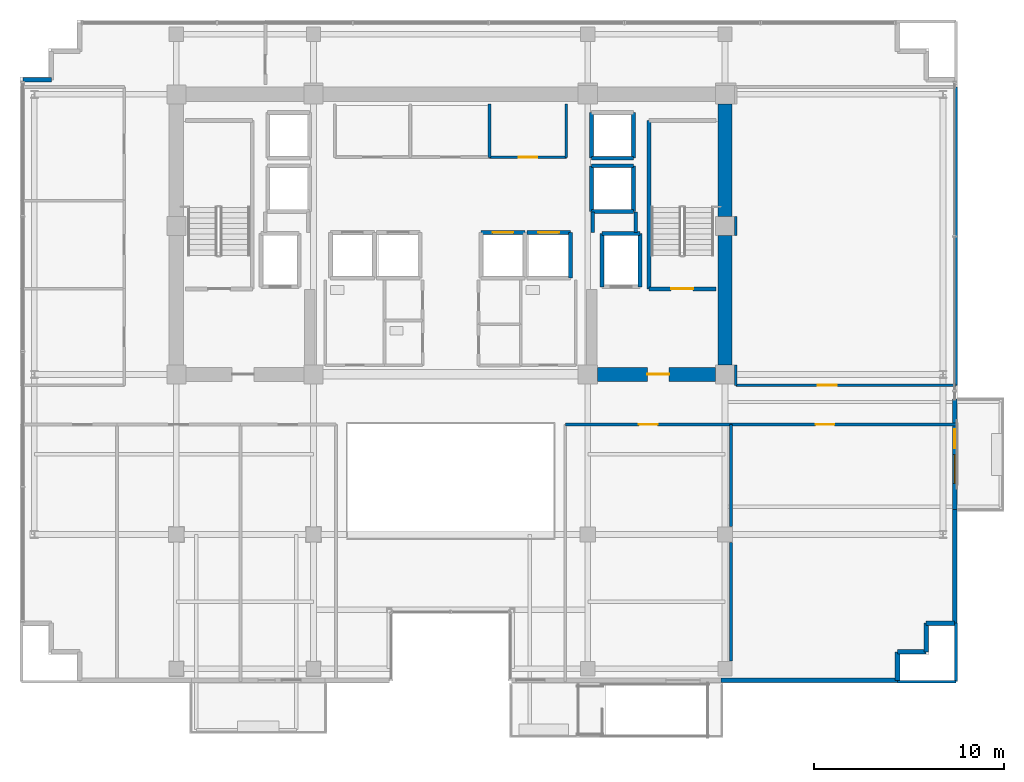
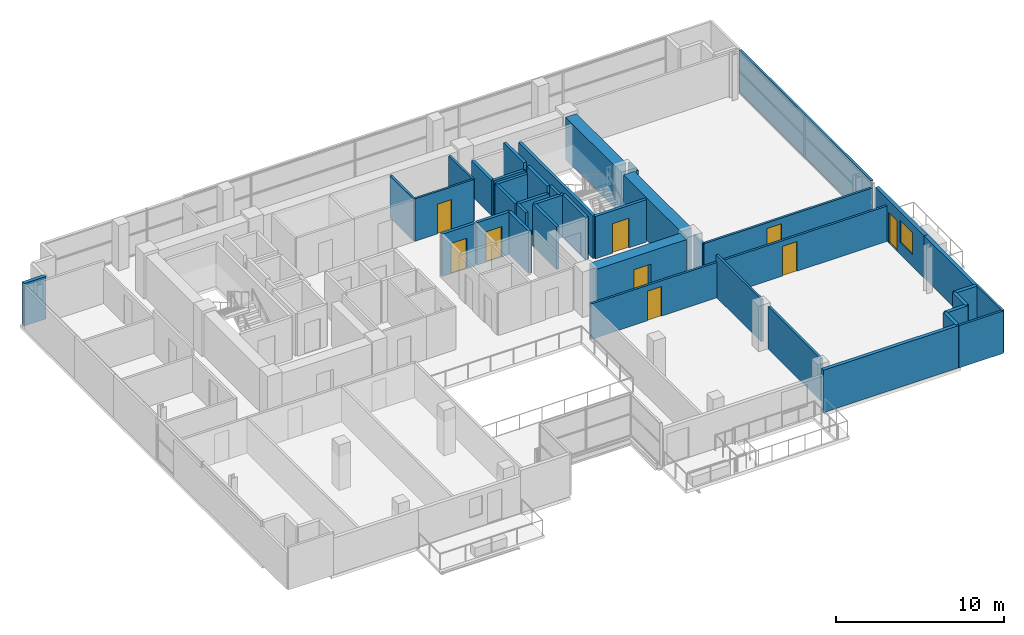
# One storey, part 18 of 23: 41 walls, 9 doors, 1 window, 10 openings.
"""IFC4 building model written with IfcOpenShell, lengths in metres."""

from ifc_helpers import new_model, si_unit, direction, frame, frame_2d, origin, place, context, subcontext, project, spatial, rectangle, extrude, source, transform, mapped, material, layer, layer_set, type_object, element, fill, save


model = new_model("IFC4")

# Units and contexts
model_context = context("Model", 3, precision=1e-05, world=origin(), true_north=direction((0.0, 1.0)))
body_context = subcontext(model_context, "Body", "Model", "MODEL_VIEW")
ifc_project = project(units=[si_unit("LENGTHUNIT", "METRE"), si_unit("AREAUNIT", "SQUARE_METRE"), si_unit("VOLUMEUNIT", "CUBIC_METRE"), si_unit("PLANEANGLEUNIT", "RADIAN"), si_unit("MASSUNIT", "GRAM", prefix="KILO")], contexts=[model_context])

# Site, building, storey
site_placement = place(None, origin())
site = spatial("IfcSite", under=ifc_project, at=site_placement, CompositionType="ELEMENT")
building_placement = place(site_placement, origin())
building = spatial("IfcBuilding", under=site, at=building_placement, Name="Zarnakvel Exchange Tower", CompositionType="ELEMENT")
storey_placement = place(building_placement, frame((0.0, 0.0, 175.89990234375)))
storey = spatial("IfcBuildingStorey", under=building, at=storey_placement, Name="L49", CompositionType="ELEMENT", Elevation=175.89990234375)

# Walls
ifc_material_1 = material(Name="Concrete C60/75", Category="concrete")
ifc_layer_1 = layer(ifc_material_1, 0.75)
ifc_layer_set_1 = layer_set([ifc_layer_1], Name="Concrete C60/75")
wall_type_1 = type_object("IfcWallType", Name="CW-C3", PredefinedType="SHEAR", material=ifc_layer_set_1)
wall_1_placement = place(storey_placement, frame((14.39990234375, -0.699951171875, 0.0), z_axis=(0.0, 0.0, 1.0), x_axis=(0.0, 1.0, 0.0)))
element("IfcWall", 1, at=wall_1_placement, inside=storey, type_object=wall_type_1, Name="L49 Rear Core Shear Wall E1 (CW-C3)", PredefinedType="SHEAR", context=body_context, shape_type="SweptSolid", body=[
    extrude(rectangle(XDim=6.800048828125, YDim=0.75, at=frame_2d((3.39990234375, 0.0))), origin(), (0.0, 0.0, 1.0), 3.0751953125),
])
wall_2_placement = place(storey_placement, frame((14.39990234375, 7.10009765625, 0.0), z_axis=(0.0, 0.0, 1.0), x_axis=(0.0, 1.0, 0.0)))
element("IfcWall", 2, at=wall_2_placement, inside=storey, type_object=wall_type_1, Name="L49 Rear Core Shear Wall E2 (CW-C3)", PredefinedType="SHEAR", context=body_context, shape_type="SweptSolid", body=[
    extrude(rectangle(XDim=5.89990234375, YDim=0.75, at=frame_2d((2.949951171875, 0.0))), origin(), (0.0, 0.0, 1.0), 3.0751953125),
])

# Wall, opening, door
wall_3_placement = place(storey_placement, frame((13.89990234375, -1.199951171875, 0.0), z_axis=(0.0, 0.0, 1.0), x_axis=(-1.0, 0.0, 0.0)))
wall_3 = element("IfcWall", 3, at=wall_3_placement, inside=storey, type_object=wall_type_1, Name="L49 Rear Core Shear Wall SE (CW-C3)", PredefinedType="SHEAR", context=body_context, shape_type="SweptSolid", body=[
    extrude(rectangle(XDim=6.199951171875, YDim=0.75, at=frame_2d((3.10009765625, 0.0))), origin(), (0.0, 0.0, 1.0), 3.0751953125),
])
opening_1_placement = place(wall_3_placement, frame((2.425048828125, 0.0, 0.0)))
opening_1 = element("IfcOpeningElement", 4, at=opening_1_placement, cuts=wall_3, Name="Opening D-L49-04", PredefinedType="OPENING", context=body_context, shape_type="SweptSolid", body=[
    extrude(rectangle(XDim=1.14990234375, YDim=2.14990234375, at=frame_2d((0.574951171875, 1.074951171875))), frame((0.0, 0.385009765625, 0.0), z_axis=(0.0, -1.0, 0.0), x_axis=(1.0, 0.0, 0.0)), (0.0, 0.0, 1.0), 0.77001953125),
])
ifc_material_2 = material(Name="Painted Galvanised Steel S355", Category="steel")
door_type_1 = type_object("IfcDoorType", Name="DT-04", OperationType="NOTDEFINED", PredefinedType="DOOR", material=ifc_material_2)
shared_shape_1 = source(origin(), body_context, "Body", "SweptSolid", [
    extrude(rectangle(XDim=1.14990234375, YDim=2.14990234375, at=frame_2d((0.574951171875, 1.074951171875))), frame((0.0, 0.02490234375, 0.0), z_axis=(0.0, -1.0, 0.0), x_axis=(1.0, 0.0, 0.0)), (0.0, 0.0, 1.0), 0.050048828125),
])
door_1_placement = place(opening_1_placement, origin())
door_1 = element("IfcDoor", 5, at=door_1_placement, inside=storey, type_object=door_type_1, Name="L49 Firefighting Lobby East Door D-L49-04", OperationType="SINGLE_SWING_RIGHT", OverallHeight=2.14990234375, OverallWidth=1.14990234375, PredefinedType="DOOR", context=body_context, shape_type="MappedRepresentation", body=[
    mapped(shared_shape_1, transform((0.0, 0.0, 0.0), x_axis=(1.0, 0.0, 0.0), y_axis=(0.0, 1.0, 0.0), z_axis=(0.0, 0.0, 1.0), scale=1.0)),
])
fill(opening_1, door_1)

# Wall, openings, door, window
ifc_material_3 = material(Name="Precast concrete C40/50", Category="concrete")
ifc_layer_2 = layer(ifc_material_3, 0.239990234375)
ifc_layer_set_2 = layer_set([ifc_layer_2], Name="Precast concrete C40/50")
wall_type_2 = type_object("IfcWallType", Name="EW-02", PredefinedType="SOLIDWALL", material=ifc_layer_set_2)
wall_4_placement = place(storey_placement, frame((26.4599609375, -2.5, 0.0), z_axis=(0.0, 0.0, 1.0), x_axis=(0.0, -1.0, 0.0)))
wall_4 = element("IfcWall", 6, at=wall_4_placement, inside=storey, type_object=wall_type_2, Name="L49 Exterior Precast Spandrel Wall EW-BAL-L49-E (EW-02)", PredefinedType="SOLIDWALL", context=body_context, shape_type="SweptSolid", body=[
    extrude(rectangle(XDim=5.800048828125, YDim=0.239990234375, at=frame_2d((2.89990234375, 0.0))), origin(), (0.0, 0.0, 1.0), 3.0751953125),
])
opening_2_placement = place(wall_4_placement, frame((1.56591796875, 0.0, 0.0)))
opening_2 = element("IfcOpeningElement", 7, at=opening_2_placement, cuts=wall_4, Name="Opening BD-L49-02", PredefinedType="OPENING", context=body_context, shape_type="SweptSolid", body=[
    extrude(rectangle(XDim=1.0, YDim=2.199951171875, at=frame_2d((0.5, 1.10009765625))), frame((0.0, 0.1298828125, 0.0), z_axis=(0.0, -1.0, 0.0), x_axis=(1.0, 0.0, 0.0)), (0.0, 0.0, 1.0), 0.260009765625),
])
opening_3_placement = place(wall_4_placement, frame((2.916015625, 0.0, 0.85009765625)))
opening_3 = element("IfcOpeningElement", 8, at=opening_3_placement, cuts=wall_4, Name="Opening WN-03", PredefinedType="OPENING", context=body_context, shape_type="SweptSolid", body=[
    extrude(rectangle(XDim=1.5, YDim=1.60009765625, at=frame_2d((0.75, 0.800048828125))), frame((0.0, 0.1298828125, 0.0), z_axis=(0.0, -1.0, 0.0), x_axis=(1.0, 0.0, 0.0)), (0.0, 0.0, 1.0), 0.260009765625),
])
ifc_material_4 = material(Name="Architectural Bronze Anodised Aluminium", Category="aluminium")
door_type_2 = type_object("IfcDoorType", Name="DT-09", OperationType="NOTDEFINED", PredefinedType="DOOR", material=ifc_material_4)
shared_shape_2 = source(origin(), body_context, "Body", "SweptSolid", [
    extrude(rectangle(XDim=1.0, YDim=2.199951171875, at=frame_2d((0.5, 1.10009765625))), frame((0.0, 0.02490234375, 0.0), z_axis=(0.0, -1.0, 0.0), x_axis=(1.0, 0.0, 0.0)), (0.0, 0.0, 1.0), 0.050048828125),
])
door_2_placement = place(opening_2_placement, origin())
door_2 = element("IfcDoor", 9, at=door_2_placement, inside=storey, type_object=door_type_2, Name="L49 Planted Loggia Balcony Door BD-L49-02", OperationType="SINGLE_SWING_RIGHT", OverallHeight=2.199951171875, OverallWidth=1.0, PredefinedType="DOOR", context=body_context, shape_type="MappedRepresentation", body=[
    mapped(shared_shape_2, transform((0.0, 0.0, 0.0), x_axis=(1.0, 0.0, 0.0), y_axis=(0.0, 1.0, 0.0), z_axis=(0.0, 0.0, 1.0), scale=1.0)),
])
fill(opening_2, door_2)
ifc_material_5 = material(Name="Double Low-E Laminated Vision Glass", Category="glass")
window_type = type_object("IfcWindowType", Name="WN-03", PartitioningType="SINGLE_PANEL", PredefinedType="WINDOW", material=ifc_material_5)
shared_shape_3 = source(origin(), body_context, "Body", "SweptSolid", [
    extrude(rectangle(XDim=1.5, YDim=1.60009765625, at=frame_2d((0.75, 0.800048828125))), frame((0.0, 0.030029296875, 0.0), z_axis=(0.0, -1.0, 0.0), x_axis=(1.0, 0.0, 0.0)), (0.0, 0.0, 1.0), 0.06005859375),
])
window_placement = place(opening_3_placement, origin())
window = element("IfcWindow", 10, at=window_placement, inside=storey, type_object=window_type, Name="L49 Loggia Daylight Window (WN-03)", OverallHeight=1.60009765625, OverallWidth=1.5, PartitioningType="SINGLE_PANEL", PredefinedType="WINDOW", context=body_context, shape_type="MappedRepresentation", body=[
    mapped(shared_shape_3, transform((0.0, 0.0, 0.0), x_axis=(1.0, 0.0, 0.0), y_axis=(0.0, 1.0, 0.0), z_axis=(0.0, 0.0, 1.0), scale=1.0)),
])
fill(opening_3, window)

# Walls
wall_5_placement = place(storey_placement, frame((-20.9599609375, 14.260009765625, 0.0), z_axis=(0.0, 0.0, 1.0), x_axis=(-1.0, 0.0, 0.0)))
element("IfcWall", 11, at=wall_5_placement, inside=storey, type_object=wall_type_2, Name="L49 Exterior Precast Spandrel Wall EWC-L49-01 (EW-02)", PredefinedType="SOLIDWALL", context=body_context, shape_type="SweptSolid", body=[
    extrude(rectangle(XDim=1.5, YDim=0.239990234375, at=frame_2d((0.75, 0.0))), origin(), (0.0, 0.0, 1.0), 3.0751953125),
])
wall_6_placement = place(storey_placement, frame((26.4599609375, -14.260009765625, 0.0), z_axis=(0.0, 0.0, 1.0), x_axis=(0.0, 1.0, 0.0)))
element("IfcWall", 12, at=wall_6_placement, inside=storey, type_object=wall_type_2, Name="L49 Exterior Precast Spandrel Wall EWC-L49-10 (EW-02)", PredefinedType="SOLIDWALL", context=body_context, shape_type="SweptSolid", body=[
    extrude(rectangle(XDim=5.9599609375, YDim=0.239990234375, at=frame_2d((2.97998046875, 0.0))), origin(), (0.0, 0.0, 1.0), 3.0751953125),
])
for number, where, z_axis, x_axis, name in (
    (13, (24.9599609375, -14.260009765625, 0.0), (0.0, 0.0, 1.0), (1.0, 0.0, 0.0), "L49 Exterior Precast Spandrel Wall EWC-L49-11 (EW-02)"),
    (14, (24.9599609375, -15.760009765625, 0.0), (0.0, 0.0, 1.0), (0.0, 1.0, 0.0), "L49 Exterior Precast Spandrel Wall EWC-L49-12 (EW-02)"),
    (15, (23.4599609375, -15.760009765625, 0.0), (0.0, 0.0, 1.0), (1.0, 0.0, 0.0), "L49 Exterior Precast Spandrel Wall EWC-L49-13 (EW-02)"),
    (16, (23.4599609375, -17.260009765625, 0.0), (0.0, 0.0, 1.0), (0.0, 1.0, 0.0), "L49 Exterior Precast Spandrel Wall EWC-L49-14 (EW-02)"),
):
    element("IfcWall", number, at=place(storey_placement, frame(where, z_axis=z_axis, x_axis=x_axis)), inside=storey, type_object=wall_type_2, Name=name, PredefinedType="SOLIDWALL", context=body_context, shape_type="SweptSolid", body=[
        extrude(rectangle(XDim=1.5, YDim=0.239990234375, at=frame_2d((0.75, 0.0))), origin(), (0.0, 0.0, 1.0), 3.0751953125),
    ])
wall_7_placement = place(storey_placement, frame((14.199951171875, -17.260009765625, 0.0), z_axis=(0.0, 0.0, 1.0), x_axis=(1.0, 0.0, 0.0)))
element("IfcWall", 17, at=wall_7_placement, inside=storey, type_object=wall_type_2, Name="L49 Exterior Precast Spandrel Wall EWC-L49-15 (EW-02)", PredefinedType="SOLIDWALL", context=body_context, shape_type="SweptSolid", body=[
    extrude(rectangle(XDim=9.260009765625, YDim=0.239990234375, at=frame_2d((4.6298828125, 0.0))), origin(), (0.0, 0.0, 1.0), 3.0751953125),
])
ifc_material_6 = material(Name="Fire-Rated Gypsum Stud Partition", Category="gypsum")
ifc_layer_3 = layer(ifc_material_6, 0.14990234375)
ifc_layer_set_3 = layer_set([ifc_layer_3], Name="Fire-Rated Gypsum Stud Partition")
wall_type_3 = type_object("IfcWallType", Name="PT-01", PredefinedType="PARTITIONING", material=ifc_layer_set_3)
wall_8_placement = place(storey_placement, frame((2.0400390625, 13.0, 0.0), z_axis=(0.0, 0.0, 1.0), x_axis=(0.0, -1.0, 0.0)))
element("IfcWall", 18, at=wall_8_placement, inside=storey, type_object=wall_type_3, Name="L49 Partition Wall PWALL-L49-015 (PT-01)", PredefinedType="PARTITIONING", context=body_context, shape_type="SweptSolid", body=[
    extrude(rectangle(XDim=2.800048828125, YDim=0.14990234375, at=frame_2d((1.39990234375, 0.0))), origin(), (0.0, 0.0, 1.0), 3.0751953125),
])

# Wall, opening, door
wall_9_placement = place(storey_placement, frame((6.02001953125, -3.830078125, 0.0), z_axis=(0.0, 0.0, 1.0), x_axis=(1.0, 0.0, 0.0)))
wall_9 = element("IfcWall", 19, at=wall_9_placement, inside=storey, type_object=wall_type_3, Name="L49 Partition Wall PWALL-L49-044 (PT-01)", PredefinedType="PARTITIONING", context=body_context, shape_type="SweptSolid", body=[
    extrude(rectangle(XDim=8.701904296875, YDim=0.14990234375, at=frame_2d((4.35107421875, 0.0))), origin(), (0.0, 0.0, 1.0), 2.565185546875),
])
opening_4_placement = place(wall_9_placement, frame((3.861083984375, 0.0, 0.0)))
opening_4 = element("IfcOpeningElement", 20, at=opening_4_placement, cuts=wall_9, Name="Opening D-L49-17", PredefinedType="OPENING", context=body_context, shape_type="SweptSolid", body=[
    extrude(rectangle(XDim=0.97998046875, YDim=2.14990234375, at=frame_2d((0.489990234375, 1.074951171875))), frame((0.0, 0.0849609375, 0.0), z_axis=(0.0, -1.0, 0.0), x_axis=(1.0, 0.0, 0.0)), (0.0, 0.0, 1.0), 0.169921875),
])
ifc_material_7 = material(Name="Timber Acoustic Veneer", Category="wood")
door_type_3 = type_object("IfcDoorType", Name="DT-05", OperationType="NOTDEFINED", PredefinedType="DOOR", material=ifc_material_7)
shared_shape_4 = source(origin(), body_context, "Body", "SweptSolid", [
    extrude(rectangle(XDim=0.97998046875, YDim=2.14990234375, at=frame_2d((0.489990234375, 1.074951171875))), frame((0.0, 0.02490234375, 0.0), z_axis=(0.0, -1.0, 0.0), x_axis=(1.0, 0.0, 0.0)), (0.0, 0.0, 1.0), 0.050048828125),
])
door_3_placement = place(opening_4_placement, origin())
door_3 = element("IfcDoor", 21, at=door_3_placement, inside=storey, type_object=door_type_3, Name="L49 Seminar Room Door D-L49-17", OperationType="SINGLE_SWING_LEFT", OverallHeight=2.14990234375, OverallWidth=0.97998046875, PredefinedType="DOOR", context=body_context, shape_type="MappedRepresentation", body=[
    mapped(shared_shape_4, transform((0.0, 0.0, 0.0), x_axis=(1.0, 0.0, 0.0), y_axis=(0.0, 1.0, 0.0), z_axis=(0.0, 0.0, 1.0), scale=1.0)),
])
fill(opening_4, door_3)

# Walls
wall_10_placement = place(storey_placement, frame((14.721923828125, -10.02001953125, 0.0), z_axis=(0.0, 0.0, 1.0), x_axis=(0.0, -1.0, 0.0)))
element("IfcWall", 22, at=wall_10_placement, inside=storey, type_object=wall_type_3, Name="L49 Partition Wall PWALL-L49-046 (PT-01)", PredefinedType="PARTITIONING", context=body_context, shape_type="SweptSolid", body=[
    extrude(rectangle(XDim=6.23486328125, YDim=0.14990234375, at=frame_2d((3.117431640625, 0.0))), origin(), (0.0, 0.0, 1.0), 3.0751953125),
])
wall_11_placement = place(storey_placement, frame((26.530029296875, -17.330078125, 0.0), z_axis=(0.0, 0.0, 1.0), x_axis=(-1.0, 0.0, 0.0)))
element("IfcWall", 23, at=wall_11_placement, inside=storey, type_object=wall_type_3, Name="L49 Partition Wall PWALL-L49-047 (PT-01)", PredefinedType="PARTITIONING", context=body_context, shape_type="SweptSolid", body=[
    extrude(rectangle(XDim=3.070068359375, YDim=0.14990234375, at=frame_2d((1.53515625, 0.0))), origin(), (0.0, 0.0, 1.0), 3.0751953125),
])

# Wall, opening, door
wall_12_placement = place(storey_placement, frame((14.721923828125, -3.830078125, 0.0), z_axis=(0.0, 0.0, 1.0), x_axis=(1.0, 0.0, 0.0)))
wall_12 = element("IfcWall", 24, at=wall_12_placement, inside=storey, type_object=wall_type_3, Name="L49 Partition Wall PWALL-L49-048 (PT-01)", PredefinedType="PARTITIONING", context=body_context, shape_type="SweptSolid", body=[
    extrude(rectangle(XDim=11.80810546875, YDim=0.14990234375, at=frame_2d((5.904052734375, 0.0))), origin(), (0.0, 0.0, 1.0), 2.565185546875),
])
opening_5_placement = place(wall_12_placement, frame((4.439208984375, 0.0, 0.0)))
opening_5 = element("IfcOpeningElement", 25, at=opening_5_placement, cuts=wall_12, Name="Opening D-L49-18", PredefinedType="OPENING", context=body_context, shape_type="SweptSolid", body=[
    extrude(rectangle(XDim=0.97998046875, YDim=2.14990234375, at=frame_2d((0.489990234375, 1.074951171875))), frame((0.0, 0.0849609375, 0.0), z_axis=(0.0, -1.0, 0.0), x_axis=(1.0, 0.0, 0.0)), (0.0, 0.0, 1.0), 0.169921875),
])
door_4_placement = place(opening_5_placement, origin())
door_4 = element("IfcDoor", 26, at=door_4_placement, inside=storey, type_object=door_type_3, Name="L49 Boardroom Door D-L49-18", OperationType="SINGLE_SWING_RIGHT", OverallHeight=2.14990234375, OverallWidth=0.97998046875, PredefinedType="DOOR", context=body_context, shape_type="MappedRepresentation", body=[
    mapped(shared_shape_4, transform((0.0, 0.0, 0.0), x_axis=(1.0, 0.0, 0.0), y_axis=(0.0, 1.0, 0.0), z_axis=(0.0, 0.0, 1.0), scale=1.0)),
])
fill(opening_5, door_4)

# Walls
wall_13_placement = place(storey_placement, frame((14.721923828125, -9.179931640625, 0.0), z_axis=(0.0, 0.0, 1.0), x_axis=(0.0, 1.0, 0.0)))
element("IfcWall", 27, at=wall_13_placement, inside=storey, type_object=wall_type_3, Name="L49 Partition Wall PWALL-L49-049 (PT-01)", PredefinedType="PARTITIONING", context=body_context, shape_type="SweptSolid", body=[
    extrude(rectangle(XDim=5.349853515625, YDim=0.14990234375, at=frame_2d((2.6748046875, 0.0))), origin(), (0.0, 0.0, 1.0), 3.0751953125),
])
wall_14_placement = place(storey_placement, frame((26.530029296875, -14.260009765625, 0.0), z_axis=(0.0, 0.0, 1.0), x_axis=(0.0, -1.0, 0.0)))
element("IfcWall", 28, at=wall_14_placement, inside=storey, type_object=wall_type_3, Name="L49 Partition Wall PWALL-L49-050 (PT-01)", PredefinedType="PARTITIONING", context=body_context, shape_type="SweptSolid", body=[
    extrude(rectangle(XDim=3.070068359375, YDim=0.14990234375, at=frame_2d((1.53515625, 0.0))), origin(), (0.0, 0.0, 1.0), 3.0751953125),
])

# Wall, opening, door
wall_15_placement = place(storey_placement, frame((26.530029296875, -1.77001953125, 0.0), z_axis=(0.0, 0.0, 1.0), x_axis=(-1.0, 0.0, 0.0)))
wall_15 = element("IfcWall", 29, at=wall_15_placement, inside=storey, type_object=wall_type_3, Name="L49 Partition Wall PWALL-L49-061 (PT-01)", PredefinedType="PARTITIONING", context=body_context, shape_type="SweptSolid", body=[
    extrude(rectangle(XDim=11.56005859375, YDim=0.14990234375, at=frame_2d((5.780029296875, 0.0))), origin(), (0.0, 0.0, 1.0), 2.565185546875),
])
opening_6_placement = place(wall_15_placement, frame((6.264892578125, 0.0, 0.0)))
opening_6 = element("IfcOpeningElement", 30, at=opening_6_placement, cuts=wall_15, Name="Opening D-L49-22", PredefinedType="OPENING", context=body_context, shape_type="SweptSolid", body=[
    extrude(rectangle(XDim=0.97998046875, YDim=2.14990234375, at=frame_2d((0.489990234375, 1.074951171875))), frame((0.0, 0.0849609375, 0.0), z_axis=(0.0, -1.0, 0.0), x_axis=(1.0, 0.0, 0.0)), (0.0, 0.0, 1.0), 0.169921875),
])
door_5_placement = place(opening_6_placement, origin())
door_5 = element("IfcDoor", 31, at=door_5_placement, inside=storey, type_object=door_type_3, Name="L49 Tea Pantry Door D-L49-22", OperationType="SINGLE_SWING_RIGHT", OverallHeight=2.14990234375, OverallWidth=0.97998046875, PredefinedType="DOOR", context=body_context, shape_type="MappedRepresentation", body=[
    mapped(shared_shape_4, transform((0.0, 0.0, 0.0), x_axis=(1.0, 0.0, 0.0), y_axis=(0.0, 1.0, 0.0), z_axis=(0.0, 0.0, 1.0), scale=1.0)),
])
fill(opening_6, door_5)

# Walls
wall_16_placement = place(storey_placement, frame((14.969970703125, -1.77001953125, 0.0), z_axis=(0.0, 0.0, 1.0), x_axis=(0.0, 1.0, 0.0)))
element("IfcWall", 32, at=wall_16_placement, inside=storey, type_object=wall_type_3, Name="L49 Partition Wall PWALL-L49-063 (PT-01)", PredefinedType="PARTITIONING", context=body_context, shape_type="SweptSolid", body=[
    extrude(rectangle(XDim=1.070068359375, YDim=0.14990234375, at=frame_2d((0.53515625, 0.0))), origin(), (0.0, 0.0, 1.0), 2.565185546875),
])
wall_17_placement = place(storey_placement, frame((14.969970703125, 6.10009765625, 0.0), z_axis=(0.0, 0.0, 1.0), x_axis=(0.0, 1.0, 0.0)))
element("IfcWall", 33, at=wall_17_placement, inside=storey, type_object=wall_type_3, Name="L49 Partition Wall PWALL-L49-064 (PT-01)", PredefinedType="PARTITIONING", context=body_context, shape_type="SweptSolid", body=[
    extrude(rectangle(XDim=1.0, YDim=0.14990234375, at=frame_2d((0.5, 0.0))), origin(), (0.0, 0.0, 1.0), 3.0751953125),
])
wall_18_placement = place(storey_placement, frame((26.530029296875, 13.8798828125, 0.0), z_axis=(0.0, 0.0, 1.0), x_axis=(0.0, -1.0, 0.0)))
element("IfcWall", 34, at=wall_18_placement, inside=storey, type_object=wall_type_3, Name="L49 Partition Wall PWALL-L49-066 (PT-01)", PredefinedType="PARTITIONING", context=body_context, shape_type="SweptSolid", body=[
    extrude(rectangle(XDim=15.64990234375, YDim=0.14990234375, at=frame_2d((7.824951171875, 0.0))), origin(), (0.0, 0.0, 1.0), 3.0751953125),
])
ifc_layer_4 = layer(ifc_material_6, 0.179931640625)
ifc_layer_set_4 = layer_set([ifc_layer_4], Name="Fire-Rated Gypsum Stud Partition")
wall_type_4 = type_object("IfcWallType", Name="PT-02", PredefinedType="PARTITIONING", material=ifc_layer_set_4)
wall_19_placement = place(storey_placement, frame((7.469970703125, 6.239990234375, 0.0), z_axis=(0.0, 0.0, 1.0), x_axis=(0.0, 1.0, 0.0)))
element("IfcWall", 35, at=wall_19_placement, inside=storey, type_object=wall_type_4, Name="L49 Partition Wall PWALL-L49-009 (PT-02)", PredefinedType="PARTITIONING", context=body_context, shape_type="SweptSolid", body=[
    extrude(rectangle(XDim=1.090087890625, YDim=0.179931640625, at=frame_2d((0.544921875, 0.0))), origin(), (0.0, 0.0, 1.0), 2.565185546875),
])
wall_20_placement = place(storey_placement, frame((9.72998046875, 7.330078125, 0.0), z_axis=(0.0, 0.0, 1.0), x_axis=(0.0, -1.0, 0.0)))
element("IfcWall", 36, at=wall_20_placement, inside=storey, type_object=wall_type_4, Name="L49 Partition Wall PWALL-L49-010 (PT-02)", PredefinedType="PARTITIONING", context=body_context, shape_type="SweptSolid", body=[
    extrude(rectangle(XDim=1.090087890625, YDim=0.179931640625, at=frame_2d((0.544921875, 0.0))), origin(), (0.0, 0.0, 1.0), 3.0751953125),
])

# Wall, opening, door
ifc_material_8 = material(Name="Moisture-Resistant Tile-Faced Partition", Category="gypsum")
ifc_layer_5 = layer(ifc_material_8, 0.135009765625)
ifc_layer_set_5 = layer_set([ifc_layer_5], Name="Moisture-Resistant Tile-Faced Partition")
wall_type_5 = type_object("IfcWallType", Name="PT-03", PredefinedType="PARTITIONING", material=ifc_layer_set_5)
wall_21_placement = place(storey_placement, frame((6.080078125, 10.199951171875, 0.0), z_axis=(0.0, 0.0, 1.0), x_axis=(-1.0, 0.0, 0.0)))
wall_21 = element("IfcWall", 37, at=wall_21_placement, inside=storey, type_object=wall_type_5, Name="L49 Partition Wall PWALL-L49-016 (PT-03)", PredefinedType="PARTITIONING", context=body_context, shape_type="SweptSolid", body=[
    extrude(rectangle(XDim=4.0400390625, YDim=0.135009765625, at=frame_2d((2.02001953125, 0.0))), origin(), (0.0, 0.0, 1.0), 3.0751953125),
])
opening_7_placement = place(wall_21_placement, frame((1.530029296875, 0.0, 0.0)))
opening_7 = element("IfcOpeningElement", 38, at=opening_7_placement, cuts=wall_21, Name="Opening D-L49-07", PredefinedType="OPENING", context=body_context, shape_type="SweptSolid", body=[
    extrude(rectangle(XDim=0.97998046875, YDim=2.14990234375, at=frame_2d((0.489990234375, 1.074951171875))), frame((0.0, 0.077392578125, 0.0), z_axis=(0.0, -1.0, 0.0), x_axis=(1.0, 0.0, 0.0)), (0.0, 0.0, 1.0), 0.155029296875),
])
door_6_placement = place(opening_7_placement, origin())
door_6 = element("IfcDoor", 39, at=door_6_placement, inside=storey, type_object=door_type_3, Name="L49 Executive Tea Pantry Door D-L49-07", OperationType="SINGLE_SWING_LEFT", OverallHeight=2.14990234375, OverallWidth=0.97998046875, PredefinedType="DOOR", context=body_context, shape_type="MappedRepresentation", body=[
    mapped(shared_shape_4, transform((0.0, 0.0, 0.0), x_axis=(1.0, 0.0, 0.0), y_axis=(0.0, 1.0, 0.0), z_axis=(0.0, 0.0, 1.0), scale=1.0)),
])
fill(opening_7, door_6)

# Walls
wall_22_placement = place(storey_placement, frame((6.080078125, 13.0, 0.0), z_axis=(0.0, 0.0, 1.0), x_axis=(0.0, -1.0, 0.0)))
element("IfcWall", 40, at=wall_22_placement, inside=storey, type_object=wall_type_5, Name="L49 Partition Wall PWALL-L49-017 (PT-03)", PredefinedType="PARTITIONING", context=body_context, shape_type="SweptSolid", body=[
    extrude(rectangle(XDim=2.800048828125, YDim=0.135009765625, at=frame_2d((1.39990234375, 0.0))), origin(), (0.0, 0.0, 1.0), 3.0751953125),
])
ifc_material_9 = material(Name="Concrete C40/50", Category="concrete")
ifc_layer_6 = layer(ifc_material_9, 0.199951171875)
ifc_layer_set_6 = layer_set([ifc_layer_6], Name="Concrete C40/50")
wall_type_6 = type_object("IfcWallType", Name="SW-01", PredefinedType="SOLIDWALL", material=ifc_layer_set_6)
wall_23_placement = place(storey_placement, frame((7.949951171875, 6.199951171875, 0.0), z_axis=(0.0, 0.0, 1.0), x_axis=(1.0, 0.0, 0.0)))
element("IfcWall", 41, at=wall_23_placement, inside=storey, type_object=wall_type_6, Name="L49 FL-02 Hoistway Wall North", PredefinedType="SOLIDWALL", context=body_context, shape_type="SweptSolid", body=[
    extrude(rectangle(XDim=2.0, YDim=0.199951171875, at=frame_2d((1.0, 0.0))), origin(), (0.0, 0.0, 1.0), 3.0751953125),
])
for number, where, z_axis, x_axis, name in (
    (42, (7.949951171875, 3.39990234375, 0.0), (0.0, 0.0, 1.0), (0.0, 1.0, 0.0), "L49 FL-02 Hoistway Wall West"),
    (43, (9.949951171875, 6.199951171875, 0.0), (0.0, 0.0, 1.0), (0.0, -1.0, 0.0), "L49 FL-02 Hoistway Wall East"),
):
    element("IfcWall", number, at=place(storey_placement, frame(where, z_axis=z_axis, x_axis=x_axis)), inside=storey, type_object=wall_type_6, Name=name, PredefinedType="SOLIDWALL", context=body_context, shape_type="SweptSolid", body=[
        extrude(rectangle(XDim=2.800048828125, YDim=0.199951171875, at=frame_2d((1.39990234375, 0.0))), origin(), (0.0, 0.0, 1.0), 3.0751953125),
    ])

# Wall, opening, door
wall_24_placement = place(storey_placement, frame((1.60009765625, 6.25, 0.0), z_axis=(0.0, 0.0, 1.0), x_axis=(1.0, 0.0, 0.0)))
wall_24 = element("IfcWall", 44, at=wall_24_placement, inside=storey, type_object=wall_type_6, Name="L49 PL-07 Hoistway Wall North", PredefinedType="SOLIDWALL", context=body_context, shape_type="SweptSolid", body=[
    extrude(rectangle(XDim=2.2998046875, YDim=0.199951171875, at=frame_2d((1.14990234375, 0.0))), origin(), (0.0, 0.0, 1.0), 3.0751953125),
])
opening_8_placement = place(wall_24_placement, frame((0.60009765625, 0.0, 0.0)))
opening_8 = element("IfcOpeningElement", 45, at=opening_8_placement, cuts=wall_24, Name="Opening LD-PL-07-L49", PredefinedType="OPENING", context=body_context, shape_type="SweptSolid", body=[
    extrude(rectangle(XDim=1.10009765625, YDim=2.199951171875, at=frame_2d((0.550048828125, 1.10009765625))), frame((0.0, 0.10986328125, 0.0), z_axis=(0.0, -1.0, 0.0), x_axis=(1.0, 0.0, 0.0)), (0.0, 0.0, 1.0), 0.219970703125),
])
door_type_4 = type_object("IfcDoorType", Name="LDT-02", OperationType="NOTDEFINED", PredefinedType="DOOR", material=ifc_material_4)
shared_shape_5 = source(origin(), body_context, "Body", "SweptSolid", [
    extrude(rectangle(XDim=1.10009765625, YDim=2.199951171875, at=frame_2d((0.550048828125, 1.10009765625))), frame((0.0, 0.02490234375, 0.0), z_axis=(0.0, -1.0, 0.0), x_axis=(1.0, 0.0, 0.0)), (0.0, 0.0, 1.0), 0.050048828125),
])
door_7_placement = place(opening_8_placement, origin())
door_7 = element("IfcDoor", 46, at=door_7_placement, inside=storey, type_object=door_type_4, Name="L49 PL-07 Lift Landing Door LD-PL-07-L49", OperationType="DOUBLE_DOOR_SLIDING", OverallHeight=2.199951171875, OverallWidth=1.10009765625, PredefinedType="DOOR", context=body_context, shape_type="MappedRepresentation", body=[
    mapped(shared_shape_5, transform((0.0, 0.0, 0.0), x_axis=(1.0, 0.0, 0.0), y_axis=(0.0, 1.0, 0.0), z_axis=(0.0, 0.0, 1.0), scale=1.0)),
])
fill(opening_8, door_7)

wall_25_placement = place(storey_placement, frame((4.0, 6.25, 0.0), z_axis=(0.0, 0.0, 1.0), x_axis=(1.0, 0.0, 0.0)))
wall_25 = element("IfcWall", 47, at=wall_25_placement, inside=storey, type_object=wall_type_6, Name="L49 PL-08 Hoistway Wall North", PredefinedType="SOLIDWALL", context=body_context, shape_type="SweptSolid", body=[
    extrude(rectangle(XDim=2.300048828125, YDim=0.199951171875, at=frame_2d((1.14990234375, 0.0))), origin(), (0.0, 0.0, 1.0), 3.0751953125),
])
opening_9_placement = place(wall_25_placement, frame((0.60009765625, 0.0, 0.0)))
opening_9 = element("IfcOpeningElement", 48, at=opening_9_placement, cuts=wall_25, Name="Opening LD-PL-08-L49", PredefinedType="OPENING", context=body_context, shape_type="SweptSolid", body=[
    extrude(rectangle(XDim=1.10009765625, YDim=2.199951171875, at=frame_2d((0.550048828125, 1.10009765625))), frame((0.0, 0.10986328125, 0.0), z_axis=(0.0, -1.0, 0.0), x_axis=(1.0, 0.0, 0.0)), (0.0, 0.0, 1.0), 0.219970703125),
])
door_8_placement = place(opening_9_placement, origin())
door_8 = element("IfcDoor", 49, at=door_8_placement, inside=storey, type_object=door_type_4, Name="L49 PL-08 Lift Landing Door LD-PL-08-L49", OperationType="DOUBLE_DOOR_SLIDING", OverallHeight=2.199951171875, OverallWidth=1.10009765625, PredefinedType="DOOR", context=body_context, shape_type="MappedRepresentation", body=[
    mapped(shared_shape_5, transform((0.0, 0.0, 0.0), x_axis=(1.0, 0.0, 0.0), y_axis=(0.0, 1.0, 0.0), z_axis=(0.0, 0.0, 1.0), scale=1.0)),
])
fill(opening_9, door_8)

# Walls
wall_26_placement = place(storey_placement, frame((6.300048828125, 6.25, 0.0), z_axis=(0.0, 0.0, 1.0), x_axis=(0.0, -1.0, 0.0)))
element("IfcWall", 50, at=wall_26_placement, inside=storey, type_object=wall_type_6, Name="L49 PL-08 Hoistway Wall East", PredefinedType="SOLIDWALL", context=body_context, shape_type="SweptSolid", body=[
    extrude(rectangle(XDim=2.39990234375, YDim=0.199951171875, at=frame_2d((1.199951171875, 0.0))), origin(), (0.0, 0.0, 1.0), 3.0751953125),
])
for number, where, z_axis, x_axis, name in (
    (51, (9.60009765625, 7.35009765625, 0.0), (0.0, 0.0, 1.0), (-1.0, 0.0, 0.0), "L49 PL-11 Hoistway Wall South"),
    (52, (7.39990234375, 9.75, 0.0), (0.0, 0.0, 1.0), (1.0, 0.0, 0.0), "L49 PL-11 Hoistway Wall North"),
):
    element("IfcWall", number, at=place(storey_placement, frame(where, z_axis=z_axis, x_axis=x_axis)), inside=storey, type_object=wall_type_6, Name=name, PredefinedType="SOLIDWALL", context=body_context, shape_type="SweptSolid", body=[
        extrude(rectangle(XDim=2.2001953125, YDim=0.199951171875, at=frame_2d((1.10009765625, 0.0))), origin(), (0.0, 0.0, 1.0), 2.565185546875),
    ])
wall_27_placement = place(storey_placement, frame((7.39990234375, 7.35009765625, 0.0), z_axis=(0.0, 0.0, 1.0), x_axis=(0.0, 1.0, 0.0)))
element("IfcWall", 53, at=wall_27_placement, inside=storey, type_object=wall_type_6, Name="L49 PL-11 Hoistway Wall West", PredefinedType="SOLIDWALL", context=body_context, shape_type="SweptSolid", body=[
    extrude(rectangle(XDim=2.39990234375, YDim=0.199951171875, at=frame_2d((1.199951171875, 0.0))), origin(), (0.0, 0.0, 1.0), 2.565185546875),
])
wall_28_placement = place(storey_placement, frame((9.60009765625, 9.75, 0.0), z_axis=(0.0, 0.0, 1.0), x_axis=(0.0, -1.0, 0.0)))
element("IfcWall", 54, at=wall_28_placement, inside=storey, type_object=wall_type_6, Name="L49 PL-11 Hoistway Wall East", PredefinedType="SOLIDWALL", context=body_context, shape_type="SweptSolid", body=[
    extrude(rectangle(XDim=2.39990234375, YDim=0.199951171875, at=frame_2d((1.199951171875, 0.0))), origin(), (0.0, 0.0, 1.0), 3.0751953125),
])
wall_29_placement = place(storey_placement, frame((9.60009765625, 10.14990234375, 0.0), z_axis=(0.0, 0.0, 1.0), x_axis=(-1.0, 0.0, 0.0)))
element("IfcWall", 55, at=wall_29_placement, inside=storey, type_object=wall_type_6, Name="L49 PL-12 Hoistway Wall South", PredefinedType="SOLIDWALL", context=body_context, shape_type="SweptSolid", body=[
    extrude(rectangle(XDim=2.2001953125, YDim=0.199951171875, at=frame_2d((1.10009765625, 0.0))), origin(), (0.0, 0.0, 1.0), 2.565185546875),
])
wall_30_placement = place(storey_placement, frame((7.39990234375, 10.14990234375, 0.0), z_axis=(0.0, 0.0, 1.0), x_axis=(0.0, 1.0, 0.0)))
element("IfcWall", 56, at=wall_30_placement, inside=storey, type_object=wall_type_6, Name="L49 PL-12 Hoistway Wall West", PredefinedType="SOLIDWALL", context=body_context, shape_type="SweptSolid", body=[
    extrude(rectangle(XDim=2.400146484375, YDim=0.199951171875, at=frame_2d((1.2001953125, 0.0))), origin(), (0.0, 0.0, 1.0), 2.565185546875),
])
wall_31_placement = place(storey_placement, frame((9.60009765625, 12.550048828125, 0.0), z_axis=(0.0, 0.0, 1.0), x_axis=(0.0, -1.0, 0.0)))
element("IfcWall", 57, at=wall_31_placement, inside=storey, type_object=wall_type_6, Name="L49 PL-12 Hoistway Wall East", PredefinedType="SOLIDWALL", context=body_context, shape_type="SweptSolid", body=[
    extrude(rectangle(XDim=2.400146484375, YDim=0.199951171875, at=frame_2d((1.2001953125, 0.0))), origin(), (0.0, 0.0, 1.0), 3.0751953125),
])

# Wall, opening, door
ifc_layer_7 = layer(ifc_material_9, 0.199951171875)
ifc_layer_set_7 = layer_set([ifc_layer_7], Name="Concrete C40/50")
wall_type_7 = type_object("IfcWallType", Name="SW-02", PredefinedType="SOLIDWALL", material=ifc_layer_set_7)
wall_32_placement = place(storey_placement, frame((13.929931640625, 3.2900390625, 0.0), z_axis=(0.0, 0.0, 1.0), x_axis=(-1.0, 0.0, 0.0)))
wall_32 = element("IfcWall", 58, at=wall_32_placement, inside=storey, type_object=wall_type_7, Name="L49 Stairwell Core Wall PWALL-L49-004 (SW-02)", PredefinedType="SOLIDWALL", context=body_context, shape_type="SweptSolid", body=[
    extrude(rectangle(XDim=3.52001953125, YDim=0.199951171875, at=frame_2d((1.760009765625, 0.0))), origin(), (0.0, 0.0, 1.0), 3.0751953125),
])
opening_10_placement = place(wall_32_placement, frame((1.205078125, 0.0, 0.0)))
opening_10 = element("IfcOpeningElement", 59, at=opening_10_placement, cuts=wall_32, Name="Opening D-L49-02", PredefinedType="OPENING", context=body_context, shape_type="SweptSolid", body=[
    extrude(rectangle(XDim=1.14990234375, YDim=2.14990234375, at=frame_2d((0.574951171875, 1.074951171875))), frame((0.0, 0.10986328125, 0.0), z_axis=(0.0, -1.0, 0.0), x_axis=(1.0, 0.0, 0.0)), (0.0, 0.0, 1.0), 0.219970703125),
])
door_9_placement = place(opening_10_placement, origin())
door_9 = element("IfcDoor", 60, at=door_9_placement, inside=storey, type_object=door_type_1, Name="L49 Stairwell ST-02 Door D-L49-02", OperationType="SINGLE_SWING_RIGHT", OverallHeight=2.14990234375, OverallWidth=1.14990234375, PredefinedType="DOOR", context=body_context, shape_type="MappedRepresentation", body=[
    mapped(shared_shape_1, transform((0.0, 0.0, 0.0), x_axis=(1.0, 0.0, 0.0), y_axis=(0.0, 1.0, 0.0), z_axis=(0.0, 0.0, 1.0), scale=1.0)),
])
fill(opening_10, door_9)

# Wall
wall_33_placement = place(storey_placement, frame((10.409912109375, 3.2900390625, 0.0), z_axis=(0.0, 0.0, 1.0), x_axis=(0.0, 1.0, 0.0)))
element("IfcWall", 61, at=wall_33_placement, inside=storey, type_object=wall_type_7, Name="L49 Stairwell Core Wall PWALL-L49-006 (SW-02)", PredefinedType="SOLIDWALL", context=body_context, shape_type="SweptSolid", body=[
    extrude(rectangle(XDim=8.83984375, YDim=0.199951171875, at=frame_2d((4.419921875, 0.0))), origin(), (0.0, 0.0, 1.0), 3.0751953125),
])

save(model, "model.ifc")
